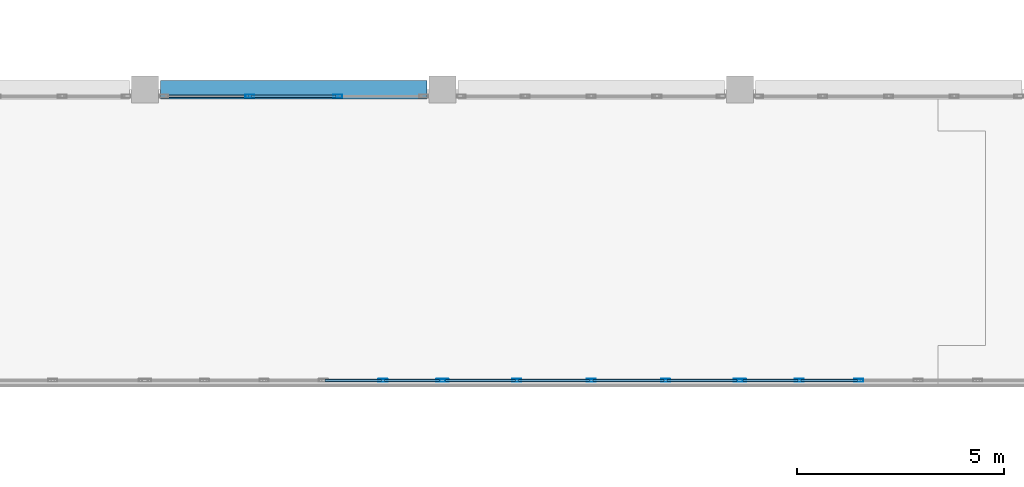
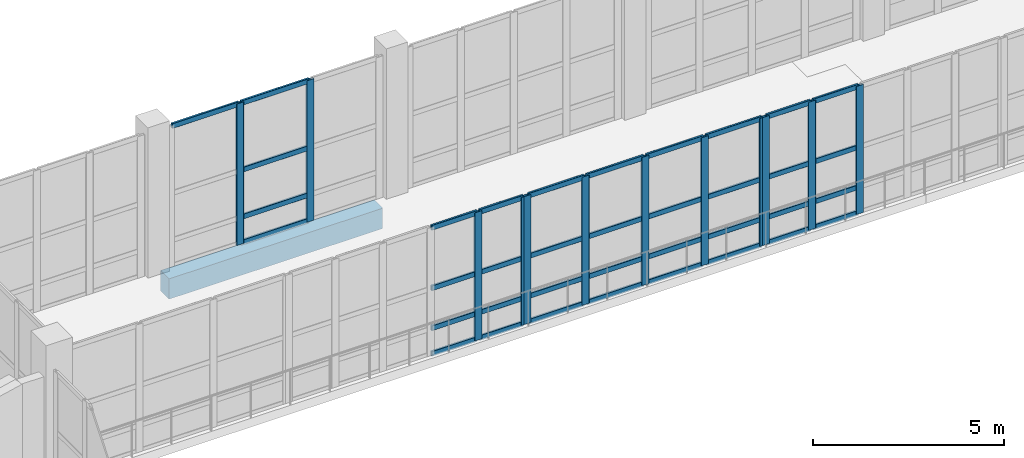
# One storey, part 23 of 127: 49 members, 1 beam, 4 elements without a shape of their own.
"""IFC4 building model written with IfcOpenShell, lengths in metres."""

from ifc_helpers import new_model, si_unit, direction, frame, origin, origin_2d, place, context, subcontext, project, spatial, rectangle, hollow_rectangle, extrude, material, material_profile, profile_set, type_object, element, aggregate, save


model = new_model("IFC4")

# Units and contexts
model_context = context("Model", 3, precision=1e-05, world=origin(), true_north=direction((0.0, 1.0)))
body_context = subcontext(model_context, "Body", "Model", "MODEL_VIEW")
ifc_project = project(units=[si_unit("LENGTHUNIT", "METRE"), si_unit("AREAUNIT", "SQUARE_METRE"), si_unit("VOLUMEUNIT", "CUBIC_METRE"), si_unit("PLANEANGLEUNIT", "RADIAN"), si_unit("MASSUNIT", "GRAM", prefix="KILO")], contexts=[model_context])

# Site, building, storey
site_placement = place(None, origin())
site = spatial("IfcSite", under=ifc_project, at=site_placement, CompositionType="ELEMENT")
building_placement = place(site_placement, origin())
building = spatial("IfcBuilding", under=site, at=building_placement, Name="Kalmorath City Hall", CompositionType="ELEMENT")
storey_placement = place(building_placement, frame((0.0, 0.0, 5.39990234375)))
storey = spatial("IfcBuildingStorey", under=building, at=storey_placement, Name="L01", CompositionType="ELEMENT", Elevation=5.39990234375)

# Beam
ifc_material_1 = material(Name="Concrete C40/50", Category="concrete")
ifc_material_profile_1 = material_profile(ifc_material_1, rectangle(XDim=0.449951171875, YDim=0.64990234375, at=origin_2d()), Name="RC-BM-450X650")
ifc_profile_set_1 = profile_set([ifc_material_profile_1], Name="Concrete C40/50")
beam_type = type_object("IfcBeamType", Name="Concrete spandrel beam 450x650", PredefinedType="SPANDREL", material=ifc_profile_set_1)
beam_placement = place(storey_placement, frame((43.574951171875, 43.199951171875, -0.64892578125), z_axis=(1.0, 0.0, 0.0), x_axis=(0.0, 1.0, 0.0)))
element("IfcBeam", 1, at=beam_placement, inside=storey, type_object=beam_type, Name="L01 girder CB5 X7-8/7", PredefinedType="SPANDREL", context=body_context, shape_type="SweptSolid", body=[
    extrude(rectangle(XDim=0.449951171875, YDim=0.64990234375, at=origin_2d()), origin(), (0.0, 0.0, 1.0), 6.449951171875),
])

# Curtain wall, members
ifc_material_2 = material(Name="Anodised aluminium and laminated glass", Category="aluminium")
curtain_wall_type_1 = type_object("IfcCurtainWallType", Name="Unitised hurricane curtain wall 7200x4090 M1500", PredefinedType="NOTDEFINED", material=ifc_material_2)
curtain_wall_1_placement = place(storey_placement, origin())
curtain_wall_1 = element("IfcCurtainWall", 2, at=curtain_wall_1_placement, inside=storey, type_object=curtain_wall_type_1, Name="L01 curtain wall CW-72X41M15 #76", PredefinedType="NOTDEFINED")
ifc_material_3 = material(Name="Anodised aluminium framing", Category="aluminium")
ifc_material_profile_2 = material_profile(ifc_material_3, hollow_rectangle(XDim=0.074951171875, YDim=0.219970703125, WallThickness=0.00390625, InnerFilletRadius=0.00390625, OuterFilletRadius=0.008056640625, at=origin_2d()), Name="ALU-MUL-220X75X4")
ifc_profile_set_2 = profile_set([ifc_material_profile_2], Name="Anodised aluminium framing")
member_type_1 = type_object("IfcMemberType", Name="Curtain-wall primary mullion 220x75", PredefinedType="MULLION", material=ifc_profile_set_2)
member_1_placement = place(storey_placement, frame((60.47998046875, 36.159912109375, 0.0), z_axis=(0.0, 0.0, 1.0), x_axis=(0.0, -1.0, 0.0)))
member_1 = element("IfcMember", 3, at=member_1_placement, type_object=member_type_1, Name="CW-72X41M15 mullion 4", PredefinedType="MULLION", context=body_context, shape_type="SweptSolid", body=[
    extrude(hollow_rectangle(XDim=0.074951171875, YDim=0.219970703125, WallThickness=0.00390625, InnerFilletRadius=0.00390625, OuterFilletRadius=0.008056640625, at=origin_2d()), origin(), (0.0, 0.0, 1.0), 4.090087890625),
])
member_2_placement = place(storey_placement, frame((59.0400390625, 36.159912109375, 0.0), z_axis=(0.0, 0.0, 1.0), x_axis=(0.0, -1.0, 0.0)))
member_2 = element("IfcMember", 4, at=member_2_placement, type_object=member_type_1, Name="CW-72X41M15 mullion 5", PredefinedType="MULLION", context=body_context, shape_type="SweptSolid", body=[
    extrude(hollow_rectangle(XDim=0.074951171875, YDim=0.219970703125, WallThickness=0.00390625, InnerFilletRadius=0.00390625, OuterFilletRadius=0.008056640625, at=origin_2d()), origin(), (0.0, 0.0, 1.0), 4.090087890625),
])
member_3_placement = place(storey_placement, frame((57.637451171875, 36.159912109375, 0.0), z_axis=(0.0, 0.0, 1.0), x_axis=(0.0, -1.0, 0.0)))
member_3 = element("IfcMember", 5, at=member_3_placement, type_object=member_type_1, Name="CW-72X41M15 mullion 6", PredefinedType="MULLION", context=body_context, shape_type="SweptSolid", body=[
    extrude(hollow_rectangle(XDim=0.074951171875, YDim=0.219970703125, WallThickness=0.00390625, InnerFilletRadius=0.00390625, OuterFilletRadius=0.008056640625, at=origin_2d()), origin(), (0.0, 0.0, 1.0), 4.090087890625),
])

ifc_material_4 = material(Name="Anodised aluminium and laminated glass", Category="aluminium")
curtain_wall_type_2 = type_object("IfcCurtainWallType", Name="Unitised hurricane curtain wall 7200x4090 M1800", PredefinedType="NOTDEFINED", material=ifc_material_4)
curtain_wall_2_placement = place(storey_placement, origin())
curtain_wall_2 = element("IfcCurtainWall", 6, at=curtain_wall_2_placement, inside=storey, type_object=curtain_wall_type_2, Name="L01 curtain wall CW-72X41M18 #77", PredefinedType="NOTDEFINED")
member_4_placement = place(storey_placement, frame((57.5625, 36.159912109375, 0.0), z_axis=(0.0, 0.0, 1.0), x_axis=(0.0, -1.0, 0.0)))
member_4 = element("IfcMember", 7, at=member_4_placement, type_object=member_type_1, Name="CW-72X41M18 mullion 1", PredefinedType="MULLION", context=body_context, shape_type="SweptSolid", body=[
    extrude(hollow_rectangle(XDim=0.074951171875, YDim=0.219970703125, WallThickness=0.00390625, InnerFilletRadius=0.00390625, OuterFilletRadius=0.008056640625, at=origin_2d()), origin(), (0.0, 0.0, 1.0), 4.090087890625),
])
member_5_placement = place(storey_placement, frame((55.800048828125, 36.159912109375, 0.0), z_axis=(0.0, 0.0, 1.0), x_axis=(0.0, -1.0, 0.0)))
member_5 = element("IfcMember", 8, at=member_5_placement, type_object=member_type_1, Name="CW-72X41M18 mullion 2", PredefinedType="MULLION", context=body_context, shape_type="SweptSolid", body=[
    extrude(hollow_rectangle(XDim=0.074951171875, YDim=0.219970703125, WallThickness=0.00390625, InnerFilletRadius=0.00390625, OuterFilletRadius=0.008056640625, at=origin_2d()), origin(), (0.0, 0.0, 1.0), 4.090087890625),
])
member_6_placement = place(storey_placement, frame((54.0, 36.159912109375, 0.0), z_axis=(0.0, 0.0, 1.0), x_axis=(0.0, -1.0, 0.0)))
member_6 = element("IfcMember", 9, at=member_6_placement, type_object=member_type_1, Name="CW-72X41M18 mullion 3", PredefinedType="MULLION", context=body_context, shape_type="SweptSolid", body=[
    extrude(hollow_rectangle(XDim=0.074951171875, YDim=0.219970703125, WallThickness=0.00390625, InnerFilletRadius=0.00390625, OuterFilletRadius=0.008056640625, at=origin_2d()), origin(), (0.0, 0.0, 1.0), 4.090087890625),
])
member_7_placement = place(storey_placement, frame((52.199951171875, 36.159912109375, 0.0), z_axis=(0.0, 0.0, 1.0), x_axis=(0.0, -1.0, 0.0)))
member_7 = element("IfcMember", 10, at=member_7_placement, type_object=member_type_1, Name="CW-72X41M18 mullion 4", PredefinedType="MULLION", context=body_context, shape_type="SweptSolid", body=[
    extrude(hollow_rectangle(XDim=0.074951171875, YDim=0.219970703125, WallThickness=0.00390625, InnerFilletRadius=0.00390625, OuterFilletRadius=0.008056640625, at=origin_2d()), origin(), (0.0, 0.0, 1.0), 4.090087890625),
])
member_8_placement = place(storey_placement, frame((50.4375, 36.159912109375, 0.0), z_axis=(0.0, 0.0, 1.0), x_axis=(0.0, -1.0, 0.0)))
member_8 = element("IfcMember", 11, at=member_8_placement, type_object=member_type_1, Name="CW-72X41M18 mullion 5", PredefinedType="MULLION", context=body_context, shape_type="SweptSolid", body=[
    extrude(hollow_rectangle(XDim=0.074951171875, YDim=0.219970703125, WallThickness=0.00390625, InnerFilletRadius=0.00390625, OuterFilletRadius=0.008056640625, at=origin_2d()), origin(), (0.0, 0.0, 1.0), 4.090087890625),
])

curtain_wall_3_placement = place(storey_placement, origin())
curtain_wall_3 = element("IfcCurtainWall", 12, at=curtain_wall_3_placement, inside=storey, type_object=curtain_wall_type_1, Name="L01 curtain wall CW-72X41M15 #78", PredefinedType="NOTDEFINED")
member_9_placement = place(storey_placement, frame((50.362548828125, 36.159912109375, 0.0), z_axis=(0.0, 0.0, 1.0), x_axis=(0.0, -1.0, 0.0)))
member_9 = element("IfcMember", 13, at=member_9_placement, type_object=member_type_1, Name="CW-72X41M15 mullion 1", PredefinedType="MULLION", context=body_context, shape_type="SweptSolid", body=[
    extrude(hollow_rectangle(XDim=0.074951171875, YDim=0.219970703125, WallThickness=0.00390625, InnerFilletRadius=0.00390625, OuterFilletRadius=0.008056640625, at=origin_2d()), origin(), (0.0, 0.0, 1.0), 4.090087890625),
])
member_10_placement = place(storey_placement, frame((48.9599609375, 36.159912109375, 0.0), z_axis=(0.0, 0.0, 1.0), x_axis=(0.0, -1.0, 0.0)))
member_10 = element("IfcMember", 14, at=member_10_placement, type_object=member_type_1, Name="CW-72X41M15 mullion 2", PredefinedType="MULLION", context=body_context, shape_type="SweptSolid", body=[
    extrude(hollow_rectangle(XDim=0.074951171875, YDim=0.219970703125, WallThickness=0.00390625, InnerFilletRadius=0.00390625, OuterFilletRadius=0.008056640625, at=origin_2d()), origin(), (0.0, 0.0, 1.0), 4.090087890625),
])

ifc_material_5 = material(Name="Anodised aluminium and laminated glass", Category="aluminium")
curtain_wall_type_3 = type_object("IfcCurtainWallType", Name="Unitised hurricane curtain wall 6370x4520 M2100", PredefinedType="NOTDEFINED", material=ifc_material_5)
curtain_wall_4_placement = place(storey_placement, origin())
curtain_wall_4 = element("IfcCurtainWall", 15, at=curtain_wall_4_placement, inside=storey, type_object=curtain_wall_type_3, Name="L01 curtain wall CW-64X45M21 #83", PredefinedType="NOTDEFINED")
member_11_placement = place(storey_placement, frame((45.73828125, 43.0400390625, 0.0), z_axis=(0.0, 0.0, 1.0), x_axis=(0.0, 1.0, 0.0)))
member_11 = element("IfcMember", 16, at=member_11_placement, type_object=member_type_1, Name="CW-64X45M21 mullion 2", PredefinedType="MULLION", context=body_context, shape_type="SweptSolid", body=[
    extrude(hollow_rectangle(XDim=0.074951171875, YDim=0.219970703125, WallThickness=0.00390625, InnerFilletRadius=0.00390625, OuterFilletRadius=0.008056640625, at=origin_2d()), origin(), (0.0, 0.0, 1.0), 4.52001953125),
])
member_12_placement = place(storey_placement, frame((47.861572265625, 43.0400390625, 0.0), z_axis=(0.0, 0.0, 1.0), x_axis=(0.0, 1.0, 0.0)))
member_12 = element("IfcMember", 17, at=member_12_placement, type_object=member_type_1, Name="CW-64X45M21 mullion 3", PredefinedType="MULLION", context=body_context, shape_type="SweptSolid", body=[
    extrude(hollow_rectangle(XDim=0.074951171875, YDim=0.219970703125, WallThickness=0.00390625, InnerFilletRadius=0.00390625, OuterFilletRadius=0.008056640625, at=origin_2d()), origin(), (0.0, 0.0, 1.0), 4.52001953125),
])

# Member
ifc_material_6 = material(Name="Anodised aluminium framing", Category="aluminium")
ifc_material_profile_3 = material_profile(ifc_material_6, hollow_rectangle(XDim=0.06494140625, YDim=0.159912109375, WallThickness=0.00390625, InnerFilletRadius=0.00390625, OuterFilletRadius=0.008056640625, at=origin_2d()), Name="ALU-TRN-160X65X4")
ifc_profile_set_3 = profile_set([ifc_material_profile_3], Name="Anodised aluminium framing")
member_type_2 = type_object("IfcMemberType", Name="Curtain-wall primary transom 160x65", PredefinedType="USERDEFINED", material=ifc_profile_set_3)
member_13_placement = place(storey_placement, frame((60.4423828125, 36.159912109375, 0.03271484375), z_axis=(-1.0, 0.0, 0.0), x_axis=(0.0, -1.0, 0.0)))
member_13 = element("IfcMember", 18, at=member_13_placement, type_object=member_type_2, Name="CW-72X41M15 transom 4.1", ObjectType="TRANSOM", PredefinedType="USERDEFINED", context=body_context, shape_type="SweptSolid", body=[
    extrude(hollow_rectangle(XDim=0.06494140625, YDim=0.159912109375, WallThickness=0.00390625, InnerFilletRadius=0.00390625, OuterFilletRadius=0.008056640625, at=origin_2d()), origin(), (0.0, 0.0, 1.0), 1.364990234375),
])

member_14_placement = place(storey_placement, frame((60.4423828125, 36.159912109375, 0.85009765625), z_axis=(-1.0, 0.0, 0.0), x_axis=(0.0, -1.0, 0.0)))
member_14 = element("IfcMember", 19, at=member_14_placement, type_object=member_type_2, Name="CW-72X41M15 transom 4.2", ObjectType="TRANSOM", PredefinedType="USERDEFINED", context=body_context, shape_type="SweptSolid", body=[
    extrude(hollow_rectangle(XDim=0.06494140625, YDim=0.159912109375, WallThickness=0.00390625, InnerFilletRadius=0.00390625, OuterFilletRadius=0.008056640625, at=origin_2d()), origin(), (0.0, 0.0, 1.0), 1.364990234375),
])

member_15_placement = place(storey_placement, frame((60.4423828125, 36.159912109375, 2.127197265625), z_axis=(-1.0, 0.0, 0.0), x_axis=(0.0, -1.0, 0.0)))
member_15 = element("IfcMember", 20, at=member_15_placement, type_object=member_type_2, Name="CW-72X41M15 transom 4.3", ObjectType="TRANSOM", PredefinedType="USERDEFINED", context=body_context, shape_type="SweptSolid", body=[
    extrude(hollow_rectangle(XDim=0.06494140625, YDim=0.159912109375, WallThickness=0.00390625, InnerFilletRadius=0.00390625, OuterFilletRadius=0.008056640625, at=origin_2d()), origin(), (0.0, 0.0, 1.0), 1.364990234375),
])

member_16_placement = place(storey_placement, frame((60.4423828125, 36.159912109375, 4.0576171875), z_axis=(-1.0, 0.0, 0.0), x_axis=(0.0, -1.0, 0.0)))
member_16 = element("IfcMember", 21, at=member_16_placement, type_object=member_type_2, Name="CW-72X41M15 transom 4.4", ObjectType="TRANSOM", PredefinedType="USERDEFINED", context=body_context, shape_type="SweptSolid", body=[
    extrude(hollow_rectangle(XDim=0.06494140625, YDim=0.159912109375, WallThickness=0.00390625, InnerFilletRadius=0.00390625, OuterFilletRadius=0.008056640625, at=origin_2d()), origin(), (0.0, 0.0, 1.0), 1.364990234375),
])

member_17_placement = place(storey_placement, frame((59.00244140625, 36.159912109375, 0.03271484375), z_axis=(-1.0, 0.0, 0.0), x_axis=(0.0, -1.0, 0.0)))
member_17 = element("IfcMember", 22, at=member_17_placement, type_object=member_type_2, Name="CW-72X41M15 transom 5.1", ObjectType="TRANSOM", PredefinedType="USERDEFINED", context=body_context, shape_type="SweptSolid", body=[
    extrude(hollow_rectangle(XDim=0.06494140625, YDim=0.159912109375, WallThickness=0.00390625, InnerFilletRadius=0.00390625, OuterFilletRadius=0.008056640625, at=origin_2d()), origin(), (0.0, 0.0, 1.0), 1.327392578125),
])

member_18_placement = place(storey_placement, frame((59.00244140625, 36.159912109375, 0.85009765625), z_axis=(-1.0, 0.0, 0.0), x_axis=(0.0, -1.0, 0.0)))
member_18 = element("IfcMember", 23, at=member_18_placement, type_object=member_type_2, Name="CW-72X41M15 transom 5.2", ObjectType="TRANSOM", PredefinedType="USERDEFINED", context=body_context, shape_type="SweptSolid", body=[
    extrude(hollow_rectangle(XDim=0.06494140625, YDim=0.159912109375, WallThickness=0.00390625, InnerFilletRadius=0.00390625, OuterFilletRadius=0.008056640625, at=origin_2d()), origin(), (0.0, 0.0, 1.0), 1.327392578125),
])

member_19_placement = place(storey_placement, frame((59.00244140625, 36.159912109375, 2.127197265625), z_axis=(-1.0, 0.0, 0.0), x_axis=(0.0, -1.0, 0.0)))
member_19 = element("IfcMember", 24, at=member_19_placement, type_object=member_type_2, Name="CW-72X41M15 transom 5.3", ObjectType="TRANSOM", PredefinedType="USERDEFINED", context=body_context, shape_type="SweptSolid", body=[
    extrude(hollow_rectangle(XDim=0.06494140625, YDim=0.159912109375, WallThickness=0.00390625, InnerFilletRadius=0.00390625, OuterFilletRadius=0.008056640625, at=origin_2d()), origin(), (0.0, 0.0, 1.0), 1.327392578125),
])

member_20_placement = place(storey_placement, frame((59.00244140625, 36.159912109375, 4.0576171875), z_axis=(-1.0, 0.0, 0.0), x_axis=(0.0, -1.0, 0.0)))
member_20 = element("IfcMember", 25, at=member_20_placement, type_object=member_type_2, Name="CW-72X41M15 transom 5.4", ObjectType="TRANSOM", PredefinedType="USERDEFINED", context=body_context, shape_type="SweptSolid", body=[
    extrude(hollow_rectangle(XDim=0.06494140625, YDim=0.159912109375, WallThickness=0.00390625, InnerFilletRadius=0.00390625, OuterFilletRadius=0.008056640625, at=origin_2d()), origin(), (0.0, 0.0, 1.0), 1.327392578125),
])

aggregate(curtain_wall_1, [member_1, member_2, member_3, member_13, member_14, member_15, member_16, member_17, member_18, member_19, member_20])

member_21_placement = place(storey_placement, frame((57.52490234375, 36.159912109375, 0.03271484375), z_axis=(-1.0, 0.0, 0.0), x_axis=(0.0, -1.0, 0.0)))
member_21 = element("IfcMember", 26, at=member_21_placement, type_object=member_type_2, Name="CW-72X41M18 transom 1.1", ObjectType="TRANSOM", PredefinedType="USERDEFINED", context=body_context, shape_type="SweptSolid", body=[
    extrude(hollow_rectangle(XDim=0.06494140625, YDim=0.159912109375, WallThickness=0.00390625, InnerFilletRadius=0.00390625, OuterFilletRadius=0.008056640625, at=origin_2d()), origin(), (0.0, 0.0, 1.0), 1.6875),
])

member_22_placement = place(storey_placement, frame((57.52490234375, 36.159912109375, 0.85009765625), z_axis=(-1.0, 0.0, 0.0), x_axis=(0.0, -1.0, 0.0)))
member_22 = element("IfcMember", 27, at=member_22_placement, type_object=member_type_2, Name="CW-72X41M18 transom 1.2", ObjectType="TRANSOM", PredefinedType="USERDEFINED", context=body_context, shape_type="SweptSolid", body=[
    extrude(hollow_rectangle(XDim=0.06494140625, YDim=0.159912109375, WallThickness=0.00390625, InnerFilletRadius=0.00390625, OuterFilletRadius=0.008056640625, at=origin_2d()), origin(), (0.0, 0.0, 1.0), 1.6875),
])

member_23_placement = place(storey_placement, frame((57.52490234375, 36.159912109375, 2.127197265625), z_axis=(-1.0, 0.0, 0.0), x_axis=(0.0, -1.0, 0.0)))
member_23 = element("IfcMember", 28, at=member_23_placement, type_object=member_type_2, Name="CW-72X41M18 transom 1.3", ObjectType="TRANSOM", PredefinedType="USERDEFINED", context=body_context, shape_type="SweptSolid", body=[
    extrude(hollow_rectangle(XDim=0.06494140625, YDim=0.159912109375, WallThickness=0.00390625, InnerFilletRadius=0.00390625, OuterFilletRadius=0.008056640625, at=origin_2d()), origin(), (0.0, 0.0, 1.0), 1.6875),
])

member_24_placement = place(storey_placement, frame((57.52490234375, 36.159912109375, 4.0576171875), z_axis=(-1.0, 0.0, 0.0), x_axis=(0.0, -1.0, 0.0)))
member_24 = element("IfcMember", 29, at=member_24_placement, type_object=member_type_2, Name="CW-72X41M18 transom 1.4", ObjectType="TRANSOM", PredefinedType="USERDEFINED", context=body_context, shape_type="SweptSolid", body=[
    extrude(hollow_rectangle(XDim=0.06494140625, YDim=0.159912109375, WallThickness=0.00390625, InnerFilletRadius=0.00390625, OuterFilletRadius=0.008056640625, at=origin_2d()), origin(), (0.0, 0.0, 1.0), 1.6875),
])

member_25_placement = place(storey_placement, frame((55.762451171875, 36.159912109375, 0.03271484375), z_axis=(-1.0, 0.0, 0.0), x_axis=(0.0, -1.0, 0.0)))
member_25 = element("IfcMember", 30, at=member_25_placement, type_object=member_type_2, Name="CW-72X41M18 transom 2.1", ObjectType="TRANSOM", PredefinedType="USERDEFINED", context=body_context, shape_type="SweptSolid", body=[
    extrude(hollow_rectangle(XDim=0.06494140625, YDim=0.159912109375, WallThickness=0.00390625, InnerFilletRadius=0.00390625, OuterFilletRadius=0.008056640625, at=origin_2d()), origin(), (0.0, 0.0, 1.0), 1.724853515625),
])

member_26_placement = place(storey_placement, frame((55.762451171875, 36.159912109375, 0.85009765625), z_axis=(-1.0, 0.0, 0.0), x_axis=(0.0, -1.0, 0.0)))
member_26 = element("IfcMember", 31, at=member_26_placement, type_object=member_type_2, Name="CW-72X41M18 transom 2.2", ObjectType="TRANSOM", PredefinedType="USERDEFINED", context=body_context, shape_type="SweptSolid", body=[
    extrude(hollow_rectangle(XDim=0.06494140625, YDim=0.159912109375, WallThickness=0.00390625, InnerFilletRadius=0.00390625, OuterFilletRadius=0.008056640625, at=origin_2d()), origin(), (0.0, 0.0, 1.0), 1.724853515625),
])

member_27_placement = place(storey_placement, frame((55.762451171875, 36.159912109375, 2.127197265625), z_axis=(-1.0, 0.0, 0.0), x_axis=(0.0, -1.0, 0.0)))
member_27 = element("IfcMember", 32, at=member_27_placement, type_object=member_type_2, Name="CW-72X41M18 transom 2.3", ObjectType="TRANSOM", PredefinedType="USERDEFINED", context=body_context, shape_type="SweptSolid", body=[
    extrude(hollow_rectangle(XDim=0.06494140625, YDim=0.159912109375, WallThickness=0.00390625, InnerFilletRadius=0.00390625, OuterFilletRadius=0.008056640625, at=origin_2d()), origin(), (0.0, 0.0, 1.0), 1.724853515625),
])

member_28_placement = place(storey_placement, frame((55.762451171875, 36.159912109375, 4.0576171875), z_axis=(-1.0, 0.0, 0.0), x_axis=(0.0, -1.0, 0.0)))
member_28 = element("IfcMember", 33, at=member_28_placement, type_object=member_type_2, Name="CW-72X41M18 transom 2.4", ObjectType="TRANSOM", PredefinedType="USERDEFINED", context=body_context, shape_type="SweptSolid", body=[
    extrude(hollow_rectangle(XDim=0.06494140625, YDim=0.159912109375, WallThickness=0.00390625, InnerFilletRadius=0.00390625, OuterFilletRadius=0.008056640625, at=origin_2d()), origin(), (0.0, 0.0, 1.0), 1.724853515625),
])

member_29_placement = place(storey_placement, frame((53.96240234375, 36.159912109375, 0.03271484375), z_axis=(-1.0, 0.0, 0.0), x_axis=(0.0, -1.0, 0.0)))
member_29 = element("IfcMember", 34, at=member_29_placement, type_object=member_type_2, Name="CW-72X41M18 transom 3.1", ObjectType="TRANSOM", PredefinedType="USERDEFINED", context=body_context, shape_type="SweptSolid", body=[
    extrude(hollow_rectangle(XDim=0.06494140625, YDim=0.159912109375, WallThickness=0.00390625, InnerFilletRadius=0.00390625, OuterFilletRadius=0.008056640625, at=origin_2d()), origin(), (0.0, 0.0, 1.0), 1.724853515625),
])

member_30_placement = place(storey_placement, frame((53.96240234375, 36.159912109375, 0.85009765625), z_axis=(-1.0, 0.0, 0.0), x_axis=(0.0, -1.0, 0.0)))
member_30 = element("IfcMember", 35, at=member_30_placement, type_object=member_type_2, Name="CW-72X41M18 transom 3.2", ObjectType="TRANSOM", PredefinedType="USERDEFINED", context=body_context, shape_type="SweptSolid", body=[
    extrude(hollow_rectangle(XDim=0.06494140625, YDim=0.159912109375, WallThickness=0.00390625, InnerFilletRadius=0.00390625, OuterFilletRadius=0.008056640625, at=origin_2d()), origin(), (0.0, 0.0, 1.0), 1.724853515625),
])

member_31_placement = place(storey_placement, frame((53.96240234375, 36.159912109375, 2.127197265625), z_axis=(-1.0, 0.0, 0.0), x_axis=(0.0, -1.0, 0.0)))
member_31 = element("IfcMember", 36, at=member_31_placement, type_object=member_type_2, Name="CW-72X41M18 transom 3.3", ObjectType="TRANSOM", PredefinedType="USERDEFINED", context=body_context, shape_type="SweptSolid", body=[
    extrude(hollow_rectangle(XDim=0.06494140625, YDim=0.159912109375, WallThickness=0.00390625, InnerFilletRadius=0.00390625, OuterFilletRadius=0.008056640625, at=origin_2d()), origin(), (0.0, 0.0, 1.0), 1.724853515625),
])

member_32_placement = place(storey_placement, frame((53.96240234375, 36.159912109375, 4.0576171875), z_axis=(-1.0, 0.0, 0.0), x_axis=(0.0, -1.0, 0.0)))
member_32 = element("IfcMember", 37, at=member_32_placement, type_object=member_type_2, Name="CW-72X41M18 transom 3.4", ObjectType="TRANSOM", PredefinedType="USERDEFINED", context=body_context, shape_type="SweptSolid", body=[
    extrude(hollow_rectangle(XDim=0.06494140625, YDim=0.159912109375, WallThickness=0.00390625, InnerFilletRadius=0.00390625, OuterFilletRadius=0.008056640625, at=origin_2d()), origin(), (0.0, 0.0, 1.0), 1.724853515625),
])

member_33_placement = place(storey_placement, frame((52.16259765625, 36.159912109375, 0.03271484375), z_axis=(-1.0, 0.0, 0.0), x_axis=(0.0, -1.0, 0.0)))
member_33 = element("IfcMember", 38, at=member_33_placement, type_object=member_type_2, Name="CW-72X41M18 transom 4.1", ObjectType="TRANSOM", PredefinedType="USERDEFINED", context=body_context, shape_type="SweptSolid", body=[
    extrude(hollow_rectangle(XDim=0.06494140625, YDim=0.159912109375, WallThickness=0.00390625, InnerFilletRadius=0.00390625, OuterFilletRadius=0.008056640625, at=origin_2d()), origin(), (0.0, 0.0, 1.0), 1.6875),
])

member_34_placement = place(storey_placement, frame((52.16259765625, 36.159912109375, 0.85009765625), z_axis=(-1.0, 0.0, 0.0), x_axis=(0.0, -1.0, 0.0)))
member_34 = element("IfcMember", 39, at=member_34_placement, type_object=member_type_2, Name="CW-72X41M18 transom 4.2", ObjectType="TRANSOM", PredefinedType="USERDEFINED", context=body_context, shape_type="SweptSolid", body=[
    extrude(hollow_rectangle(XDim=0.06494140625, YDim=0.159912109375, WallThickness=0.00390625, InnerFilletRadius=0.00390625, OuterFilletRadius=0.008056640625, at=origin_2d()), origin(), (0.0, 0.0, 1.0), 1.6875),
])

member_35_placement = place(storey_placement, frame((52.16259765625, 36.159912109375, 2.127197265625), z_axis=(-1.0, 0.0, 0.0), x_axis=(0.0, -1.0, 0.0)))
member_35 = element("IfcMember", 40, at=member_35_placement, type_object=member_type_2, Name="CW-72X41M18 transom 4.3", ObjectType="TRANSOM", PredefinedType="USERDEFINED", context=body_context, shape_type="SweptSolid", body=[
    extrude(hollow_rectangle(XDim=0.06494140625, YDim=0.159912109375, WallThickness=0.00390625, InnerFilletRadius=0.00390625, OuterFilletRadius=0.008056640625, at=origin_2d()), origin(), (0.0, 0.0, 1.0), 1.6875),
])

member_36_placement = place(storey_placement, frame((52.16259765625, 36.159912109375, 4.0576171875), z_axis=(-1.0, 0.0, 0.0), x_axis=(0.0, -1.0, 0.0)))
member_36 = element("IfcMember", 41, at=member_36_placement, type_object=member_type_2, Name="CW-72X41M18 transom 4.4", ObjectType="TRANSOM", PredefinedType="USERDEFINED", context=body_context, shape_type="SweptSolid", body=[
    extrude(hollow_rectangle(XDim=0.06494140625, YDim=0.159912109375, WallThickness=0.00390625, InnerFilletRadius=0.00390625, OuterFilletRadius=0.008056640625, at=origin_2d()), origin(), (0.0, 0.0, 1.0), 1.6875),
])

aggregate(curtain_wall_2, [member_4, member_5, member_6, member_7, member_8, member_21, member_22, member_23, member_24, member_25, member_26, member_27, member_28, member_29, member_30, member_31, member_32, member_33, member_34, member_35, member_36])

member_37_placement = place(storey_placement, frame((50.324951171875, 36.159912109375, 0.03271484375), z_axis=(-1.0, 0.0, 0.0), x_axis=(0.0, -1.0, 0.0)))
member_37 = element("IfcMember", 42, at=member_37_placement, type_object=member_type_2, Name="CW-72X41M15 transom 1.1", ObjectType="TRANSOM", PredefinedType="USERDEFINED", context=body_context, shape_type="SweptSolid", body=[
    extrude(hollow_rectangle(XDim=0.06494140625, YDim=0.159912109375, WallThickness=0.00390625, InnerFilletRadius=0.00390625, OuterFilletRadius=0.008056640625, at=origin_2d()), origin(), (0.0, 0.0, 1.0), 1.327392578125),
])

member_38_placement = place(storey_placement, frame((50.324951171875, 36.159912109375, 0.85009765625), z_axis=(-1.0, 0.0, 0.0), x_axis=(0.0, -1.0, 0.0)))
member_38 = element("IfcMember", 43, at=member_38_placement, type_object=member_type_2, Name="CW-72X41M15 transom 1.2", ObjectType="TRANSOM", PredefinedType="USERDEFINED", context=body_context, shape_type="SweptSolid", body=[
    extrude(hollow_rectangle(XDim=0.06494140625, YDim=0.159912109375, WallThickness=0.00390625, InnerFilletRadius=0.00390625, OuterFilletRadius=0.008056640625, at=origin_2d()), origin(), (0.0, 0.0, 1.0), 1.327392578125),
])

member_39_placement = place(storey_placement, frame((50.324951171875, 36.159912109375, 2.127197265625), z_axis=(-1.0, 0.0, 0.0), x_axis=(0.0, -1.0, 0.0)))
member_39 = element("IfcMember", 44, at=member_39_placement, type_object=member_type_2, Name="CW-72X41M15 transom 1.3", ObjectType="TRANSOM", PredefinedType="USERDEFINED", context=body_context, shape_type="SweptSolid", body=[
    extrude(hollow_rectangle(XDim=0.06494140625, YDim=0.159912109375, WallThickness=0.00390625, InnerFilletRadius=0.00390625, OuterFilletRadius=0.008056640625, at=origin_2d()), origin(), (0.0, 0.0, 1.0), 1.327392578125),
])

member_40_placement = place(storey_placement, frame((50.324951171875, 36.159912109375, 4.0576171875), z_axis=(-1.0, 0.0, 0.0), x_axis=(0.0, -1.0, 0.0)))
member_40 = element("IfcMember", 45, at=member_40_placement, type_object=member_type_2, Name="CW-72X41M15 transom 1.4", ObjectType="TRANSOM", PredefinedType="USERDEFINED", context=body_context, shape_type="SweptSolid", body=[
    extrude(hollow_rectangle(XDim=0.06494140625, YDim=0.159912109375, WallThickness=0.00390625, InnerFilletRadius=0.00390625, OuterFilletRadius=0.008056640625, at=origin_2d()), origin(), (0.0, 0.0, 1.0), 1.327392578125),
])

member_41_placement = place(storey_placement, frame((48.922607421875, 36.159912109375, 0.03271484375), z_axis=(-1.0, 0.0, 0.0), x_axis=(0.0, -1.0, 0.0)))
member_41 = element("IfcMember", 46, at=member_41_placement, type_object=member_type_2, Name="CW-72X41M15 transom 2.1", ObjectType="TRANSOM", PredefinedType="USERDEFINED", context=body_context, shape_type="SweptSolid", body=[
    extrude(hollow_rectangle(XDim=0.06494140625, YDim=0.159912109375, WallThickness=0.00390625, InnerFilletRadius=0.00390625, OuterFilletRadius=0.008056640625, at=origin_2d()), origin(), (0.0, 0.0, 1.0), 1.364990234375),
])

member_42_placement = place(storey_placement, frame((48.922607421875, 36.159912109375, 0.85009765625), z_axis=(-1.0, 0.0, 0.0), x_axis=(0.0, -1.0, 0.0)))
member_42 = element("IfcMember", 47, at=member_42_placement, type_object=member_type_2, Name="CW-72X41M15 transom 2.2", ObjectType="TRANSOM", PredefinedType="USERDEFINED", context=body_context, shape_type="SweptSolid", body=[
    extrude(hollow_rectangle(XDim=0.06494140625, YDim=0.159912109375, WallThickness=0.00390625, InnerFilletRadius=0.00390625, OuterFilletRadius=0.008056640625, at=origin_2d()), origin(), (0.0, 0.0, 1.0), 1.364990234375),
])

member_43_placement = place(storey_placement, frame((48.922607421875, 36.159912109375, 2.127197265625), z_axis=(-1.0, 0.0, 0.0), x_axis=(0.0, -1.0, 0.0)))
member_43 = element("IfcMember", 48, at=member_43_placement, type_object=member_type_2, Name="CW-72X41M15 transom 2.3", ObjectType="TRANSOM", PredefinedType="USERDEFINED", context=body_context, shape_type="SweptSolid", body=[
    extrude(hollow_rectangle(XDim=0.06494140625, YDim=0.159912109375, WallThickness=0.00390625, InnerFilletRadius=0.00390625, OuterFilletRadius=0.008056640625, at=origin_2d()), origin(), (0.0, 0.0, 1.0), 1.364990234375),
])

member_44_placement = place(storey_placement, frame((48.922607421875, 36.159912109375, 4.0576171875), z_axis=(-1.0, 0.0, 0.0), x_axis=(0.0, -1.0, 0.0)))
member_44 = element("IfcMember", 49, at=member_44_placement, type_object=member_type_2, Name="CW-72X41M15 transom 2.4", ObjectType="TRANSOM", PredefinedType="USERDEFINED", context=body_context, shape_type="SweptSolid", body=[
    extrude(hollow_rectangle(XDim=0.06494140625, YDim=0.159912109375, WallThickness=0.00390625, InnerFilletRadius=0.00390625, OuterFilletRadius=0.008056640625, at=origin_2d()), origin(), (0.0, 0.0, 1.0), 1.364990234375),
])

aggregate(curtain_wall_3, [member_9, member_10, member_37, member_38, member_39, member_40, member_41, member_42, member_43, member_44])

member_45_placement = place(storey_placement, frame((43.68994140625, 43.0400390625, 4.487548828125), z_axis=(1.0, 0.0, 0.0), x_axis=(0.0, 1.0, 0.0)))
member_45 = element("IfcMember", 50, at=member_45_placement, type_object=member_type_2, Name="CW-64X45M21 transom 1.4", ObjectType="TRANSOM", PredefinedType="USERDEFINED", context=body_context, shape_type="SweptSolid", body=[
    extrude(hollow_rectangle(XDim=0.06494140625, YDim=0.159912109375, WallThickness=0.00390625, InnerFilletRadius=0.00390625, OuterFilletRadius=0.008056640625, at=origin_2d()), origin(), (0.0, 0.0, 1.0), 2.010986328125),
])

member_46_placement = place(storey_placement, frame((45.77587890625, 43.0400390625, 0.03271484375), z_axis=(1.0, 0.0, 0.0), x_axis=(0.0, 1.0, 0.0)))
member_46 = element("IfcMember", 51, at=member_46_placement, type_object=member_type_2, Name="CW-64X45M21 transom 2.1", ObjectType="TRANSOM", PredefinedType="USERDEFINED", context=body_context, shape_type="SweptSolid", body=[
    extrude(hollow_rectangle(XDim=0.06494140625, YDim=0.159912109375, WallThickness=0.00390625, InnerFilletRadius=0.00390625, OuterFilletRadius=0.008056640625, at=origin_2d()), origin(), (0.0, 0.0, 1.0), 2.04833984375),
])

member_47_placement = place(storey_placement, frame((45.77587890625, 43.0400390625, 0.85009765625), z_axis=(1.0, 0.0, 0.0), x_axis=(0.0, 1.0, 0.0)))
member_47 = element("IfcMember", 52, at=member_47_placement, type_object=member_type_2, Name="CW-64X45M21 transom 2.2", ObjectType="TRANSOM", PredefinedType="USERDEFINED", context=body_context, shape_type="SweptSolid", body=[
    extrude(hollow_rectangle(XDim=0.06494140625, YDim=0.159912109375, WallThickness=0.00390625, InnerFilletRadius=0.00390625, OuterFilletRadius=0.008056640625, at=origin_2d()), origin(), (0.0, 0.0, 1.0), 2.04833984375),
])

member_48_placement = place(storey_placement, frame((45.77587890625, 43.0400390625, 2.35009765625), z_axis=(1.0, 0.0, 0.0), x_axis=(0.0, 1.0, 0.0)))
member_48 = element("IfcMember", 53, at=member_48_placement, type_object=member_type_2, Name="CW-64X45M21 transom 2.3", ObjectType="TRANSOM", PredefinedType="USERDEFINED", context=body_context, shape_type="SweptSolid", body=[
    extrude(hollow_rectangle(XDim=0.06494140625, YDim=0.159912109375, WallThickness=0.00390625, InnerFilletRadius=0.00390625, OuterFilletRadius=0.008056640625, at=origin_2d()), origin(), (0.0, 0.0, 1.0), 2.04833984375),
])

member_49_placement = place(storey_placement, frame((45.77587890625, 43.0400390625, 4.487548828125), z_axis=(1.0, 0.0, 0.0), x_axis=(0.0, 1.0, 0.0)))
member_49 = element("IfcMember", 54, at=member_49_placement, type_object=member_type_2, Name="CW-64X45M21 transom 2.4", ObjectType="TRANSOM", PredefinedType="USERDEFINED", context=body_context, shape_type="SweptSolid", body=[
    extrude(hollow_rectangle(XDim=0.06494140625, YDim=0.159912109375, WallThickness=0.00390625, InnerFilletRadius=0.00390625, OuterFilletRadius=0.008056640625, at=origin_2d()), origin(), (0.0, 0.0, 1.0), 2.04833984375),
])

aggregate(curtain_wall_4, [member_11, member_12, member_45, member_46, member_47, member_48, member_49])

save(model, "model.ifc")
